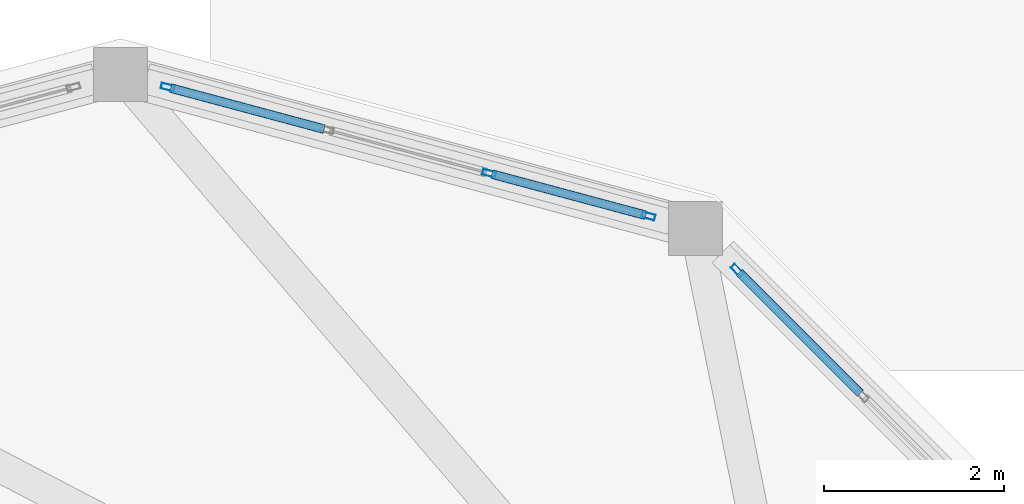
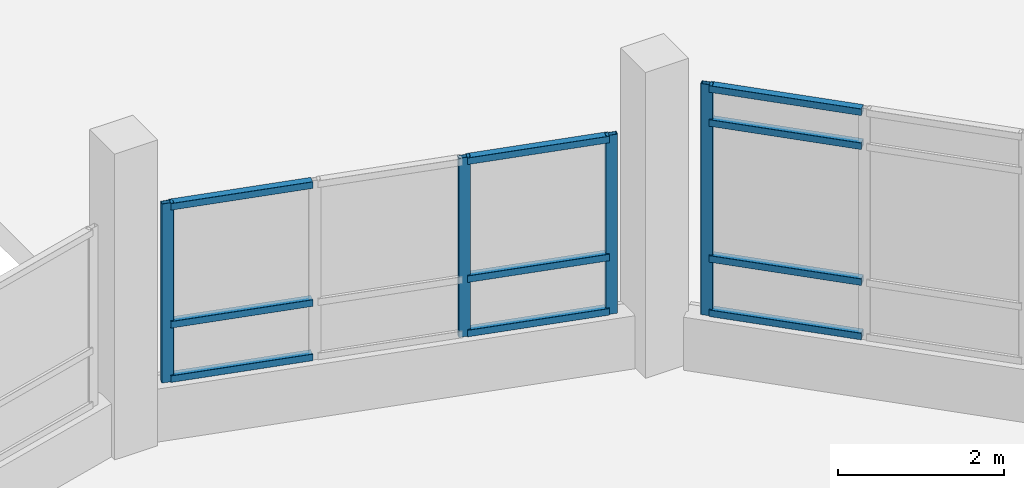
# One storey, part 43 of 129: 14 members, 2 elements without a shape of their own.
"""IFC4 building model written with IfcOpenShell, lengths in metres."""

from ifc_helpers import new_model, si_unit, direction, frame, origin, origin_2d, place, context, subcontext, project, spatial, hollow_rectangle, extrude, material, layer, layer_set, material_profile, profile_set, type_object, element, aggregate, save


model = new_model("IFC4")

# Units and contexts
model_context = context("Model", 3, precision=1e-05, world=origin(), true_north=direction((0.0, 1.0)))
body_context = subcontext(model_context, "Body", "Model", "MODEL_VIEW")
ifc_project = project(units=[si_unit("LENGTHUNIT", "METRE"), si_unit("AREAUNIT", "SQUARE_METRE"), si_unit("VOLUMEUNIT", "CUBIC_METRE"), si_unit("PLANEANGLEUNIT", "RADIAN"), si_unit("MASSUNIT", "GRAM", prefix="KILO")], contexts=[model_context])

# Site, building, storey
site_placement = place(None, origin())
site = spatial("IfcSite", under=ifc_project, at=site_placement, CompositionType="ELEMENT")
building_placement = place(site_placement, origin())
building = spatial("IfcBuilding", under=site, at=building_placement, Name="Vespera Passage Community Centre", CompositionType="ELEMENT")
storey_placement = place(building_placement, origin())
storey = spatial("IfcBuildingStorey", under=building, at=storey_placement, Name="L00", CompositionType="ELEMENT", Elevation=0.0)

# Curtain wall, member
ifc_material_1 = material(Name="Anodized aluminium 6063-T6", Category="aluminium")
ifc_layer_1 = layer(ifc_material_1, 0.159912109375)
ifc_layer_set_1 = layer_set([ifc_layer_1], Name="Anodized aluminium 6063-T6")
curtain_wall_type_1 = type_object("IfcCurtainWallType", Name="CW-111E", PredefinedType="NOTDEFINED", material=ifc_layer_set_1)
curtain_wall_1_placement = place(storey_placement, origin())
curtain_wall_1 = element("IfcCurtainWall", 1, at=curtain_wall_1_placement, inside=storey, type_object=curtain_wall_type_1, Name="Passage Espresso Cafe Ribbon Curtain Wall 2", PredefinedType="NOTDEFINED")
ifc_material_2 = material(Name="Anodized aluminium 6063-T6", Category="aluminium")
ifc_material_profile_1 = material_profile(ifc_material_2, hollow_rectangle(XDim=0.06494140625, YDim=0.14990234375, WallThickness=0.00390625, InnerFilletRadius=0.001953125, OuterFilletRadius=0.00390625, at=origin_2d()), Name="ALU150X65X4")
ifc_profile_set_1 = profile_set([ifc_material_profile_1], Name="Anodized aluminium 6063-T6")
member_type_1 = type_object("IfcMemberType", Name="MB-CWM-150E", PredefinedType="MULLION", material=ifc_profile_set_1)
member_1_placement = place(storey_placement, frame((127.864501953125, 44.12060546875, 0.780029296875), z_axis=(0.0, 0.0, 1.0), x_axis=(0.707106781187, 0.707106781187, 0.0)))
member_1 = element("IfcMember", 2, at=member_1_placement, type_object=member_type_1, Name="CW-111E mullion 1", PredefinedType="MULLION", context=body_context, shape_type="SweptSolid", body=[
    extrude(hollow_rectangle(XDim=0.06494140625, YDim=0.14990234375, WallThickness=0.00390625, InnerFilletRadius=0.001953125, OuterFilletRadius=0.00390625, at=origin_2d()), origin(), (0.0, 0.0, 1.0), 3.39990234375),
])

# Curtain wall, members
ifc_material_3 = material(Name="Anodized aluminium 6063-T6", Category="aluminium")
ifc_layer_2 = layer(ifc_material_3, 0.159912109375)
ifc_layer_set_2 = layer_set([ifc_layer_2], Name="Anodized aluminium 6063-T6")
curtain_wall_type_2 = type_object("IfcCurtainWallType", Name="CW-112E", PredefinedType="NOTDEFINED", material=ifc_layer_set_2)
curtain_wall_2_placement = place(storey_placement, origin())
curtain_wall_2 = element("IfcCurtainWall", 3, at=curtain_wall_2_placement, inside=storey, type_object=curtain_wall_type_2, Name="Passage Espresso Cafe Ribbon Curtain Wall 3", PredefinedType="NOTDEFINED")
member_2_placement = place(storey_placement, frame((121.524658203125, 46.159423828125, 0.780029296875), z_axis=(0.0, 0.0, 1.0), x_axis=(0.258807433834, 0.965928937444, 0.0)))
member_2 = element("IfcMember", 4, at=member_2_placement, type_object=member_type_1, Name="CW-112E mullion 1", PredefinedType="MULLION", context=body_context, shape_type="SweptSolid", body=[
    extrude(hollow_rectangle(XDim=0.06494140625, YDim=0.14990234375, WallThickness=0.00390625, InnerFilletRadius=0.001953125, OuterFilletRadius=0.00390625, at=origin_2d()), origin(), (0.0, 0.0, 1.0), 2.635009765625),
])
member_3_placement = place(storey_placement, frame((125.102294921875, 45.20068359375, 0.780029296875), z_axis=(0.0, 0.0, 1.0), x_axis=(0.258807433834, 0.965928937444, 0.0)))
member_3 = element("IfcMember", 5, at=member_3_placement, type_object=member_type_1, Name="CW-112E mullion 3", PredefinedType="MULLION", context=body_context, shape_type="SweptSolid", body=[
    extrude(hollow_rectangle(XDim=0.06494140625, YDim=0.14990234375, WallThickness=0.00390625, InnerFilletRadius=0.001953125, OuterFilletRadius=0.00390625, at=origin_2d()), origin(), (0.0, 0.0, 1.0), 2.635009765625),
])
member_4_placement = place(storey_placement, frame((126.87548828125, 44.725830078125, 0.780029296875), z_axis=(0.0, 0.0, 1.0), x_axis=(0.258807433834, 0.965928937444, 0.0)))
member_4 = element("IfcMember", 6, at=member_4_placement, type_object=member_type_1, Name="CW-112E mullion 4", PredefinedType="MULLION", context=body_context, shape_type="SweptSolid", body=[
    extrude(hollow_rectangle(XDim=0.06494140625, YDim=0.14990234375, WallThickness=0.00390625, InnerFilletRadius=0.001953125, OuterFilletRadius=0.00390625, at=origin_2d()), origin(), (0.0, 0.0, 1.0), 2.635009765625),
])

# Member
ifc_material_4 = material(Name="Anodized aluminium 6063-T6", Category="aluminium")
ifc_material_profile_2 = material_profile(ifc_material_4, hollow_rectangle(XDim=0.10009765625, YDim=0.10009765625, WallThickness=0.00390625, InnerFilletRadius=0.001953125, OuterFilletRadius=0.00390625, at=origin_2d()), Name="ALU100X100X4")
ifc_profile_set_2 = profile_set([ifc_material_profile_2], Name="Anodized aluminium 6063-T6")
member_type_2 = type_object("IfcMemberType", Name="MB-CWT-100E", PredefinedType="USERDEFINED", material=ifc_profile_set_2)
member_5_placement = place(storey_placement, frame((127.887451171875, 44.09765625, 0.830078125), z_axis=(0.707106781187, -0.707106781187, 0.0), x_axis=(0.707106781187, 0.707106781187, 0.0)))
member_5 = element("IfcMember", 7, at=member_5_placement, type_object=member_type_2, Name="CW-111E transom 1.1", ObjectType="TRANSOM", PredefinedType="USERDEFINED", context=body_context, shape_type="SweptSolid", body=[
    extrude(hollow_rectangle(XDim=0.10009765625, YDim=0.10009765625, WallThickness=0.00390625, InnerFilletRadius=0.001953125, OuterFilletRadius=0.00390625, at=origin_2d()), origin(), (0.0, 0.0, 1.0), 1.90283203125),
])

member_6_placement = place(storey_placement, frame((127.887451171875, 44.09765625, 1.6298828125), z_axis=(0.707106781187, -0.707106781187, 0.0), x_axis=(0.707106781187, 0.707106781187, 0.0)))
member_6 = element("IfcMember", 8, at=member_6_placement, type_object=member_type_2, Name="CW-111E transom 1.2", ObjectType="TRANSOM", PredefinedType="USERDEFINED", context=body_context, shape_type="SweptSolid", body=[
    extrude(hollow_rectangle(XDim=0.10009765625, YDim=0.10009765625, WallThickness=0.00390625, InnerFilletRadius=0.001953125, OuterFilletRadius=0.00390625, at=origin_2d()), origin(), (0.0, 0.0, 1.0), 1.90283203125),
])

member_7_placement = place(storey_placement, frame((127.887451171875, 44.09765625, 3.6298828125), z_axis=(0.707106781187, -0.707106781187, 0.0), x_axis=(0.707106781187, 0.707106781187, 0.0)))
member_7 = element("IfcMember", 9, at=member_7_placement, type_object=member_type_2, Name="CW-111E transom 1.3", ObjectType="TRANSOM", PredefinedType="USERDEFINED", context=body_context, shape_type="SweptSolid", body=[
    extrude(hollow_rectangle(XDim=0.10009765625, YDim=0.10009765625, WallThickness=0.00390625, InnerFilletRadius=0.001953125, OuterFilletRadius=0.00390625, at=origin_2d()), origin(), (0.0, 0.0, 1.0), 1.90283203125),
])

member_8_placement = place(storey_placement, frame((127.887451171875, 44.09765625, 4.1298828125), z_axis=(0.707106781187, -0.707106781187, 0.0), x_axis=(0.707106781187, 0.707106781187, 0.0)))
member_8 = element("IfcMember", 10, at=member_8_placement, type_object=member_type_2, Name="CW-111E transom 1.4", ObjectType="TRANSOM", PredefinedType="USERDEFINED", context=body_context, shape_type="SweptSolid", body=[
    extrude(hollow_rectangle(XDim=0.10009765625, YDim=0.10009765625, WallThickness=0.00390625, InnerFilletRadius=0.001953125, OuterFilletRadius=0.00390625, at=origin_2d()), origin(), (0.0, 0.0, 1.0), 1.90283203125),
])

aggregate(curtain_wall_1, [member_1, member_5, member_6, member_7, member_8])

member_9_placement = place(storey_placement, frame((121.555908203125, 46.15087890625, 0.830078125), z_axis=(0.965934513164, -0.258786623067, 0.0), x_axis=(0.258786623067, 0.965934513164, 0.0)))
member_9 = element("IfcMember", 11, at=member_9_placement, type_object=member_type_2, Name="CW-112E transom 1.1", ObjectType="TRANSOM", PredefinedType="USERDEFINED", context=body_context, shape_type="SweptSolid", body=[
    extrude(hollow_rectangle(XDim=0.10009765625, YDim=0.10009765625, WallThickness=0.00390625, InnerFilletRadius=0.001953125, OuterFilletRadius=0.00390625, at=origin_2d()), origin(), (0.0, 0.0, 1.0), 1.770751953125),
])

member_10_placement = place(storey_placement, frame((121.555908203125, 46.15087890625, 1.6298828125), z_axis=(0.965934513164, -0.258786623067, 0.0), x_axis=(0.258786623067, 0.965934513164, 0.0)))
member_10 = element("IfcMember", 12, at=member_10_placement, type_object=member_type_2, Name="CW-112E transom 1.2", ObjectType="TRANSOM", PredefinedType="USERDEFINED", context=body_context, shape_type="SweptSolid", body=[
    extrude(hollow_rectangle(XDim=0.10009765625, YDim=0.10009765625, WallThickness=0.00390625, InnerFilletRadius=0.001953125, OuterFilletRadius=0.00390625, at=origin_2d()), origin(), (0.0, 0.0, 1.0), 1.770751953125),
])

member_11_placement = place(storey_placement, frame((121.555908203125, 46.15087890625, 3.364990234375), z_axis=(0.965934513164, -0.258786623067, 0.0), x_axis=(0.258786623067, 0.965934513164, 0.0)))
member_11 = element("IfcMember", 13, at=member_11_placement, type_object=member_type_2, Name="CW-112E transom 1.3", ObjectType="TRANSOM", PredefinedType="USERDEFINED", context=body_context, shape_type="SweptSolid", body=[
    extrude(hollow_rectangle(XDim=0.10009765625, YDim=0.10009765625, WallThickness=0.00390625, InnerFilletRadius=0.001953125, OuterFilletRadius=0.00390625, at=origin_2d()), origin(), (0.0, 0.0, 1.0), 1.770751953125),
])

member_12_placement = place(storey_placement, frame((125.133544921875, 45.1923828125, 0.830078125), z_axis=(0.965934513164, -0.258786623067, 0.0), x_axis=(0.258786623067, 0.965934513164, 0.0)))
member_12 = element("IfcMember", 14, at=member_12_placement, type_object=member_type_2, Name="CW-112E transom 3.1", ObjectType="TRANSOM", PredefinedType="USERDEFINED", context=body_context, shape_type="SweptSolid", body=[
    extrude(hollow_rectangle(XDim=0.10009765625, YDim=0.10009765625, WallThickness=0.00390625, InnerFilletRadius=0.001953125, OuterFilletRadius=0.00390625, at=origin_2d()), origin(), (0.0, 0.0, 1.0), 1.770751953125),
])

member_13_placement = place(storey_placement, frame((125.133544921875, 45.1923828125, 1.6298828125), z_axis=(0.965934513164, -0.258786623067, 0.0), x_axis=(0.258786623067, 0.965934513164, 0.0)))
member_13 = element("IfcMember", 15, at=member_13_placement, type_object=member_type_2, Name="CW-112E transom 3.2", ObjectType="TRANSOM", PredefinedType="USERDEFINED", context=body_context, shape_type="SweptSolid", body=[
    extrude(hollow_rectangle(XDim=0.10009765625, YDim=0.10009765625, WallThickness=0.00390625, InnerFilletRadius=0.001953125, OuterFilletRadius=0.00390625, at=origin_2d()), origin(), (0.0, 0.0, 1.0), 1.770751953125),
])

member_14_placement = place(storey_placement, frame((125.133544921875, 45.1923828125, 3.364990234375), z_axis=(0.965934513164, -0.258786623067, 0.0), x_axis=(0.258786623067, 0.965934513164, 0.0)))
member_14 = element("IfcMember", 16, at=member_14_placement, type_object=member_type_2, Name="CW-112E transom 3.3", ObjectType="TRANSOM", PredefinedType="USERDEFINED", context=body_context, shape_type="SweptSolid", body=[
    extrude(hollow_rectangle(XDim=0.10009765625, YDim=0.10009765625, WallThickness=0.00390625, InnerFilletRadius=0.001953125, OuterFilletRadius=0.00390625, at=origin_2d()), origin(), (0.0, 0.0, 1.0), 1.770751953125),
])

aggregate(curtain_wall_2, [member_2, member_3, member_4, member_9, member_10, member_11, member_12, member_13, member_14])

save(model, "model.ifc")
